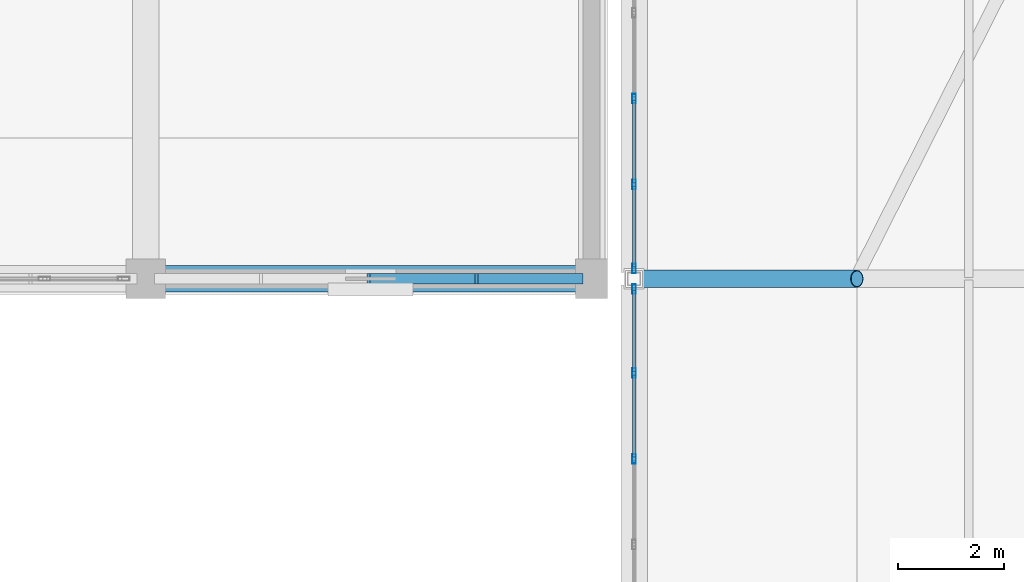
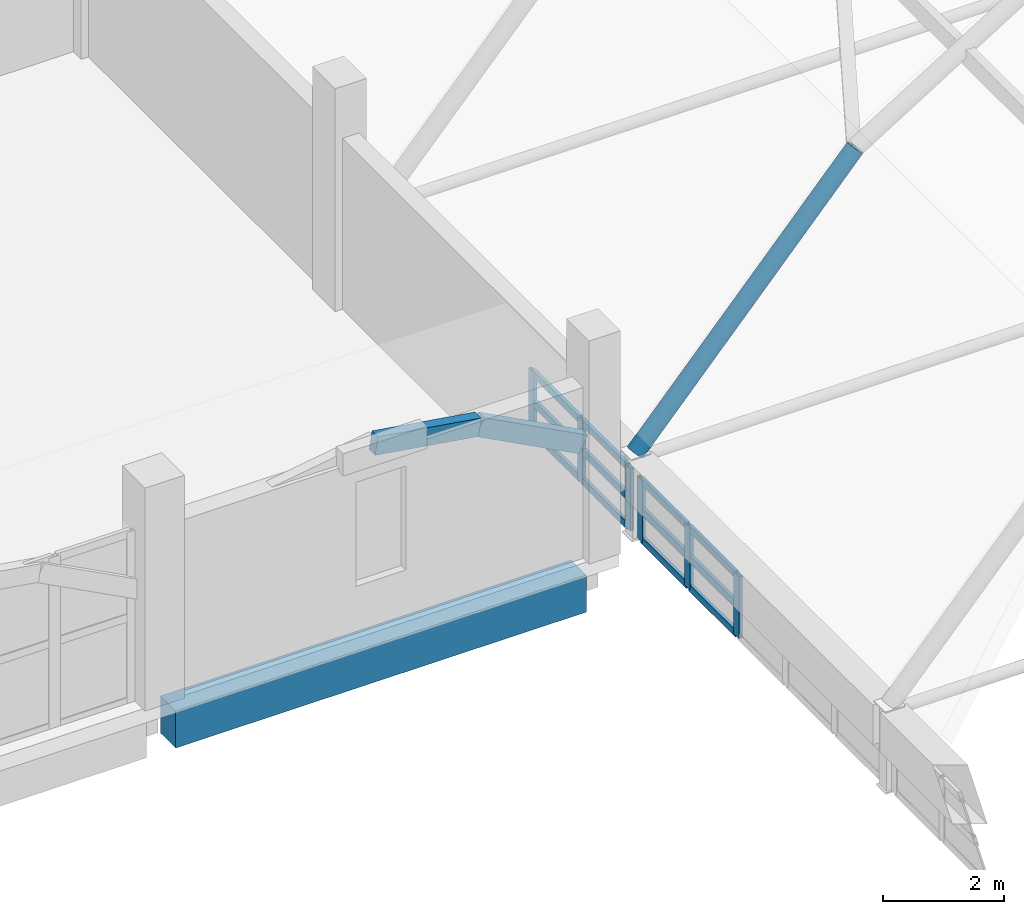
# One storey, part 59 of 114: 20 members, 2 beams, 2 elements without a shape of their own.
"""IFC4 building model written with IfcOpenShell, lengths in metres."""

from ifc_helpers import new_model, si_unit, direction, frame, origin, origin_2d, place, context, subcontext, project, spatial, rectangle, hollow_rectangle, hollow_circle, extrude, material, layer, layer_set, material_profile, profile_set, type_object, element, aggregate, save


model = new_model("IFC4")

# Units and contexts
model_context = context("Model", 3, precision=1e-05, world=origin(), true_north=direction((0.0, 1.0)))
body_context = subcontext(model_context, "Body", "Model", "MODEL_VIEW")
ifc_project = project(units=[si_unit("LENGTHUNIT", "METRE"), si_unit("AREAUNIT", "SQUARE_METRE"), si_unit("VOLUMEUNIT", "CUBIC_METRE"), si_unit("PLANEANGLEUNIT", "RADIAN"), si_unit("MASSUNIT", "GRAM", prefix="KILO")], contexts=[model_context])

# Site, building, storey
site_placement = place(None, origin())
site = spatial("IfcSite", under=ifc_project, at=site_placement, CompositionType="ELEMENT")
building_placement = place(site_placement, origin())
building = spatial("IfcBuilding", under=site, at=building_placement, Name="Xazarin Passage Department Store", CompositionType="ELEMENT")
storey_placement = place(building_placement, frame((0.0, 0.0, 14.39990234375)))
storey = spatial("IfcBuildingStorey", under=building, at=storey_placement, Name="L03", CompositionType="ELEMENT", Elevation=14.39990234375)

# Curtain wall, members
ifc_material_1 = material(Name="Bronze anodised aluminium", Category="aluminium")
ifc_layer = layer(ifc_material_1, 0.159912109375)
ifc_layer_set = layer_set([ifc_layer], Name="Bronze anodised aluminium")
curtain_wall_type = type_object("IfcCurtainWallType", Name="ARC-CW-ARC1", PredefinedType="NOTDEFINED", material=ifc_layer_set)
curtain_wall_1_placement = place(storey_placement, origin())
curtain_wall_1 = element("IfcCurtainWall", 1, at=curtain_wall_1_placement, inside=storey, type_object=curtain_wall_type, Name="L03 V2N Galleria Clerestory Curtain Wall 2W", PredefinedType="NOTDEFINED")
ifc_material_profile_1 = material_profile(ifc_material_1, hollow_rectangle(XDim=0.06494140625, YDim=0.179931640625, WallThickness=0.00390625, at=origin_2d()), Name="ALU 65x180")
ifc_profile_set_1 = profile_set([ifc_material_profile_1], Name="Bronze anodised aluminium")
member_type_1 = type_object("IfcMemberType", Name="ARC-CWM-65x180", PredefinedType="MULLION", material=ifc_profile_set_1)
member_1_placement = place(storey_placement, frame((68.0, 64.60791015625, 0.0), z_axis=(0.0, 0.0, 1.0), x_axis=(-1.0, 0.0, 0.0)))
member_1 = element("IfcMember", 2, at=member_1_placement, type_object=member_type_1, Name="CW3 mullion 4", PredefinedType="MULLION", context=body_context, shape_type="SweptSolid", body=[
    extrude(hollow_rectangle(XDim=0.06494140625, YDim=0.179931640625, WallThickness=0.00390625, at=origin_2d()), origin(), (0.0, 0.0, 1.0), 1.251708984375),
])
member_2_placement = place(storey_placement, frame((68.0, 66.22412109375, 0.0), z_axis=(0.0, 0.0, 1.0), x_axis=(-1.0, 0.0, 0.0)))
member_2 = element("IfcMember", 3, at=member_2_placement, type_object=member_type_1, Name="CW3 mullion 5", PredefinedType="MULLION", context=body_context, shape_type="SweptSolid", body=[
    extrude(hollow_rectangle(XDim=0.06494140625, YDim=0.179931640625, WallThickness=0.00390625, at=origin_2d()), origin(), (0.0, 0.0, 1.0), 1.251708984375),
])
member_3_placement = place(storey_placement, frame((68.0, 67.8076171875, 0.0), z_axis=(0.0, 0.0, 1.0), x_axis=(-1.0, 0.0, 0.0)))
member_3 = element("IfcMember", 4, at=member_3_placement, type_object=member_type_1, Name="CW3 mullion 6", PredefinedType="MULLION", context=body_context, shape_type="SweptSolid", body=[
    extrude(hollow_rectangle(XDim=0.06494140625, YDim=0.179931640625, WallThickness=0.00390625, at=origin_2d()), origin(), (0.0, 0.0, 1.0), 1.251708984375),
])

curtain_wall_2_placement = place(storey_placement, origin())
curtain_wall_2 = element("IfcCurtainWall", 5, at=curtain_wall_2_placement, inside=storey, type_object=curtain_wall_type, Name="L03 V2N Galleria Clerestory Curtain Wall 3W", PredefinedType="NOTDEFINED")
member_4_placement = place(storey_placement, frame((68.0, 68.1923828125, 0.0), z_axis=(0.0, 0.0, 1.0), x_axis=(-1.0, 0.0, 0.0)))
member_4 = element("IfcMember", 6, at=member_4_placement, type_object=member_type_1, Name="CW3 mullion 1", PredefinedType="MULLION", context=body_context, shape_type="SweptSolid", body=[
    extrude(hollow_rectangle(XDim=0.06494140625, YDim=0.179931640625, WallThickness=0.00390625, at=origin_2d()), origin(), (0.0, 0.0, 1.0), 1.251708984375),
])
member_5_placement = place(storey_placement, frame((68.0, 69.77587890625, 0.0), z_axis=(0.0, 0.0, 1.0), x_axis=(-1.0, 0.0, 0.0)))
member_5 = element("IfcMember", 7, at=member_5_placement, type_object=member_type_1, Name="CW3 mullion 2", PredefinedType="MULLION", context=body_context, shape_type="SweptSolid", body=[
    extrude(hollow_rectangle(XDim=0.06494140625, YDim=0.179931640625, WallThickness=0.00390625, at=origin_2d()), origin(), (0.0, 0.0, 1.0), 1.251708984375),
])
member_6_placement = place(storey_placement, frame((68.0, 71.39208984375, 0.0), z_axis=(0.0, 0.0, 1.0), x_axis=(-1.0, 0.0, 0.0)))
member_6 = element("IfcMember", 8, at=member_6_placement, type_object=member_type_1, Name="CW3 mullion 3", PredefinedType="MULLION", context=body_context, shape_type="SweptSolid", body=[
    extrude(hollow_rectangle(XDim=0.06494140625, YDim=0.179931640625, WallThickness=0.00390625, at=origin_2d()), origin(), (0.0, 0.0, 1.0), 1.251708984375),
])

# Member
ifc_material_profile_2 = material_profile(ifc_material_1, hollow_rectangle(XDim=0.06494140625, YDim=0.139892578125, WallThickness=0.00390625, at=origin_2d()), Name="ALU 65x140")
ifc_profile_set_2 = profile_set([ifc_material_profile_2], Name="Bronze anodised aluminium")
member_type_2 = type_object("IfcMemberType", Name="ARC-CWT-65x140", PredefinedType="USERDEFINED", material=ifc_profile_set_2)
member_7_placement = place(storey_placement, frame((68.0, 64.640380859375, 0.03271484375), z_axis=(0.0, 1.0, 0.0), x_axis=(-1.0, 0.0, 0.0)))
member_7 = element("IfcMember", 9, at=member_7_placement, type_object=member_type_2, Name="CW3 transom 4.1", ObjectType="TRANSOM", PredefinedType="USERDEFINED", context=body_context, shape_type="SweptSolid", body=[
    extrude(hollow_rectangle(XDim=0.06494140625, YDim=0.139892578125, WallThickness=0.00390625, at=origin_2d()), origin(), (0.0, 0.0, 1.0), 1.551025390625),
])

member_8_placement = place(storey_placement, frame((68.0, 64.640380859375, 0.6259765625), z_axis=(0.0, 1.0, 0.0), x_axis=(-1.0, 0.0, 0.0)))
member_8 = element("IfcMember", 10, at=member_8_placement, type_object=member_type_2, Name="CW3 transom 4.2", ObjectType="TRANSOM", PredefinedType="USERDEFINED", context=body_context, shape_type="SweptSolid", body=[
    extrude(hollow_rectangle(XDim=0.06494140625, YDim=0.139892578125, WallThickness=0.00390625, at=origin_2d()), origin(), (0.0, 0.0, 1.0), 1.551025390625),
])

member_9_placement = place(storey_placement, frame((68.0, 64.640380859375, 1.21923828125), z_axis=(0.0, 1.0, 0.0), x_axis=(-1.0, 0.0, 0.0)))
member_9 = element("IfcMember", 11, at=member_9_placement, type_object=member_type_2, Name="CW3 transom 4.3", ObjectType="TRANSOM", PredefinedType="USERDEFINED", context=body_context, shape_type="SweptSolid", body=[
    extrude(hollow_rectangle(XDim=0.06494140625, YDim=0.139892578125, WallThickness=0.00390625, at=origin_2d()), origin(), (0.0, 0.0, 1.0), 1.551025390625),
])

member_10_placement = place(storey_placement, frame((68.0, 66.256591796875, 0.03271484375), z_axis=(0.0, 1.0, 0.0), x_axis=(-1.0, 0.0, 0.0)))
member_10 = element("IfcMember", 12, at=member_10_placement, type_object=member_type_2, Name="CW3 transom 5.1", ObjectType="TRANSOM", PredefinedType="USERDEFINED", context=body_context, shape_type="SweptSolid", body=[
    extrude(hollow_rectangle(XDim=0.06494140625, YDim=0.139892578125, WallThickness=0.00390625, at=origin_2d()), origin(), (0.0, 0.0, 1.0), 1.518310546875),
])

member_11_placement = place(storey_placement, frame((68.0, 66.256591796875, 0.6259765625), z_axis=(0.0, 1.0, 0.0), x_axis=(-1.0, 0.0, 0.0)))
member_11 = element("IfcMember", 13, at=member_11_placement, type_object=member_type_2, Name="CW3 transom 5.2", ObjectType="TRANSOM", PredefinedType="USERDEFINED", context=body_context, shape_type="SweptSolid", body=[
    extrude(hollow_rectangle(XDim=0.06494140625, YDim=0.139892578125, WallThickness=0.00390625, at=origin_2d()), origin(), (0.0, 0.0, 1.0), 1.518310546875),
])

member_12_placement = place(storey_placement, frame((68.0, 66.256591796875, 1.21923828125), z_axis=(0.0, 1.0, 0.0), x_axis=(-1.0, 0.0, 0.0)))
member_12 = element("IfcMember", 14, at=member_12_placement, type_object=member_type_2, Name="CW3 transom 5.3", ObjectType="TRANSOM", PredefinedType="USERDEFINED", context=body_context, shape_type="SweptSolid", body=[
    extrude(hollow_rectangle(XDim=0.06494140625, YDim=0.139892578125, WallThickness=0.00390625, at=origin_2d()), origin(), (0.0, 0.0, 1.0), 1.518310546875),
])

aggregate(curtain_wall_1, [member_1, member_2, member_3, member_7, member_8, member_9, member_10, member_11, member_12])

member_13_placement = place(storey_placement, frame((68.0, 68.22509765625, 0.03271484375), z_axis=(0.0, 1.0, 0.0), x_axis=(-1.0, 0.0, 0.0)))
member_13 = element("IfcMember", 15, at=member_13_placement, type_object=member_type_2, Name="CW3 transom 1.1", ObjectType="TRANSOM", PredefinedType="USERDEFINED", context=body_context, shape_type="SweptSolid", body=[
    extrude(hollow_rectangle(XDim=0.06494140625, YDim=0.139892578125, WallThickness=0.00390625, at=origin_2d()), origin(), (0.0, 0.0, 1.0), 1.518310546875),
])

member_14_placement = place(storey_placement, frame((68.0, 68.22509765625, 0.6259765625), z_axis=(0.0, 1.0, 0.0), x_axis=(-1.0, 0.0, 0.0)))
member_14 = element("IfcMember", 16, at=member_14_placement, type_object=member_type_2, Name="CW3 transom 1.2", ObjectType="TRANSOM", PredefinedType="USERDEFINED", context=body_context, shape_type="SweptSolid", body=[
    extrude(hollow_rectangle(XDim=0.06494140625, YDim=0.139892578125, WallThickness=0.00390625, at=origin_2d()), origin(), (0.0, 0.0, 1.0), 1.518310546875),
])

member_15_placement = place(storey_placement, frame((68.0, 68.22509765625, 1.21923828125), z_axis=(0.0, 1.0, 0.0), x_axis=(-1.0, 0.0, 0.0)))
member_15 = element("IfcMember", 17, at=member_15_placement, type_object=member_type_2, Name="CW3 transom 1.3", ObjectType="TRANSOM", PredefinedType="USERDEFINED", context=body_context, shape_type="SweptSolid", body=[
    extrude(hollow_rectangle(XDim=0.06494140625, YDim=0.139892578125, WallThickness=0.00390625, at=origin_2d()), origin(), (0.0, 0.0, 1.0), 1.518310546875),
])

member_16_placement = place(storey_placement, frame((68.0, 69.80859375, 0.03271484375), z_axis=(0.0, 1.0, 0.0), x_axis=(-1.0, 0.0, 0.0)))
member_16 = element("IfcMember", 18, at=member_16_placement, type_object=member_type_2, Name="CW3 transom 2.1", ObjectType="TRANSOM", PredefinedType="USERDEFINED", context=body_context, shape_type="SweptSolid", body=[
    extrude(hollow_rectangle(XDim=0.06494140625, YDim=0.139892578125, WallThickness=0.00390625, at=origin_2d()), origin(), (0.0, 0.0, 1.0), 1.551025390625),
])

member_17_placement = place(storey_placement, frame((68.0, 69.80859375, 0.6259765625), z_axis=(0.0, 1.0, 0.0), x_axis=(-1.0, 0.0, 0.0)))
member_17 = element("IfcMember", 19, at=member_17_placement, type_object=member_type_2, Name="CW3 transom 2.2", ObjectType="TRANSOM", PredefinedType="USERDEFINED", context=body_context, shape_type="SweptSolid", body=[
    extrude(hollow_rectangle(XDim=0.06494140625, YDim=0.139892578125, WallThickness=0.00390625, at=origin_2d()), origin(), (0.0, 0.0, 1.0), 1.551025390625),
])

member_18_placement = place(storey_placement, frame((68.0, 69.80859375, 1.21923828125), z_axis=(0.0, 1.0, 0.0), x_axis=(-1.0, 0.0, 0.0)))
member_18 = element("IfcMember", 20, at=member_18_placement, type_object=member_type_2, Name="CW3 transom 2.3", ObjectType="TRANSOM", PredefinedType="USERDEFINED", context=body_context, shape_type="SweptSolid", body=[
    extrude(hollow_rectangle(XDim=0.06494140625, YDim=0.139892578125, WallThickness=0.00390625, at=origin_2d()), origin(), (0.0, 0.0, 1.0), 1.551025390625),
])

aggregate(curtain_wall_2, [member_4, member_5, member_6, member_13, member_14, member_15, member_16, member_17, member_18])

# Beams
ifc_material_2 = material(Name="Steel S355", Category="steel")
ifc_material_profile_3 = material_profile(ifc_material_2, hollow_circle(Radius=0.161865234375, WallThickness=0.01611328125, at=origin_2d()), Name="CHS 323.9x16")
ifc_profile_set_3 = profile_set([ifc_material_profile_3], Name="Steel S355")
beam_type_1 = type_object("IfcBeamType", Name="STR-BM-AR324", PredefinedType="BEAM", material=ifc_profile_set_3)
beam_1_placement = place(storey_placement, frame((68.0, 68.0, 1.65185546875), z_axis=(0.667891545417, 0.0, 0.74425861336), x_axis=(0.0, 1.0, 0.0)))
element("IfcBeam", 21, at=beam_1_placement, inside=storey, type_object=beam_type_1, Name="V2N Primary Arch Rib 3.1", PredefinedType="BEAM", context=body_context, shape_type="SweptSolid", body=[
    extrude(hollow_circle(Radius=0.161865234375, WallThickness=0.01611328125, at=origin_2d()), origin(), (0.0, 0.0, 1.0), 6.288330078125),
])
ifc_material_3 = material(Name="Concrete C35/45", Category="concrete")
ifc_material_profile_4 = material_profile(ifc_material_3, rectangle(XDim=0.5, YDim=0.75, at=origin_2d()), Name="RC 500x750")
ifc_profile_set_4 = profile_set([ifc_material_profile_4], Name="Concrete C35/45")
beam_type_2 = type_object("IfcBeamType", Name="STR-BM-SP500x750", PredefinedType="SPANDREL", material=ifc_profile_set_4)
beam_2_placement = place(storey_placement, frame((59.080078125, 68.0, -0.6748046875), z_axis=(1.0, 0.0, 0.0), x_axis=(0.0, 1.0, 0.0)))
element("IfcBeam", 22, at=beam_2_placement, inside=storey, type_object=beam_type_2, Name="L03 Grid Beam K/8-9", PredefinedType="SPANDREL", context=body_context, shape_type="SweptSolid", body=[
    extrude(rectangle(XDim=0.5, YDim=0.75, at=origin_2d()), origin(), (0.0, 0.0, 1.0), 7.83984375),
])

# Members
ifc_material_4 = material(Name="Concrete C40/50", Category="concrete")
ifc_material_profile_5 = material_profile(ifc_material_4, rectangle(XDim=0.199951171875, YDim=0.360107421875, at=origin_2d()), Name="RC 200x360")
ifc_profile_set_5 = profile_set([ifc_material_profile_5], Name="Concrete C40/50")
member_type_3 = type_object("IfcMemberType", Name="STR-MEM-ARC360", PredefinedType="CHORD", material=ifc_profile_set_5)
member_19_placement = place(storey_placement, frame((63.0, 68.0, 3.580078125), z_axis=(0.987938581312, 0.0, -0.154846244883), x_axis=(0.0, 1.0, 0.0)))
element("IfcMember", 23, at=member_19_placement, inside=storey, type_object=member_type_3, Name="L03 V1 Upper Setback Pierced Arch 019.3", PredefinedType="CHORD", context=body_context, shape_type="SweptSolid", body=[
    extrude(rectangle(XDim=0.199951171875, YDim=0.360107421875, at=origin_2d()), origin(), (0.0, 0.0, 1.0), 1.999267578125),
])
member_20_placement = place(storey_placement, frame((64.97509765625, 68.0, 3.2705078125), z_axis=(0.884709354127, 0.0, -0.466143066793), x_axis=(0.0, 1.0, 0.0)))
element("IfcMember", 24, at=member_20_placement, inside=storey, type_object=member_type_3, Name="L03 V1 Upper Setback Pierced Arch 019.4", PredefinedType="CHORD", context=body_context, shape_type="SweptSolid", body=[
    extrude(rectangle(XDim=0.199951171875, YDim=0.360107421875, at=origin_2d()), origin(), (0.0, 0.0, 1.0), 2.232177734375),
])

save(model, "model.ifc")
